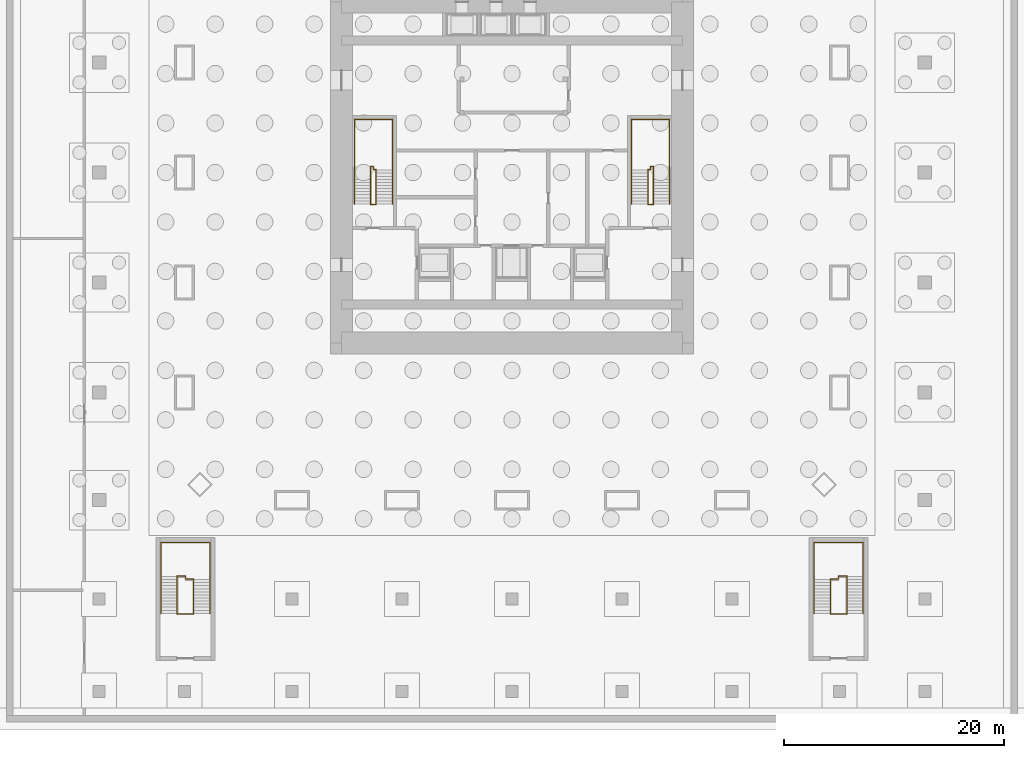
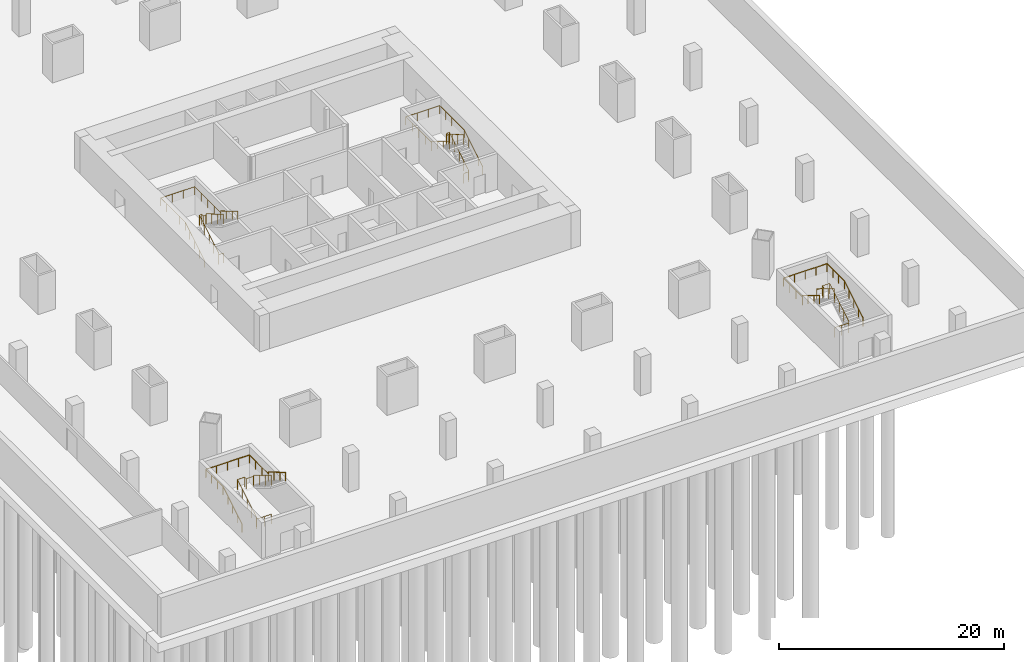
# One storey, part 9 of 11: 8 railings.
"""IFC4 building model written with IfcOpenShell, lengths in metres."""

from ifc_helpers import new_model, si_unit, direction, frame, origin, origin_2d, place, context, subcontext, project, spatial, circle, extrude, material, type_object, element, save


model = new_model("IFC4")

# Units and contexts
model_context = context("Model", 3, precision=1e-05, world=origin(), true_north=direction((0.0, 1.0)))
body_context = subcontext(model_context, "Body", "Model", "MODEL_VIEW")
ifc_project = project(units=[si_unit("LENGTHUNIT", "METRE"), si_unit("AREAUNIT", "SQUARE_METRE"), si_unit("VOLUMEUNIT", "CUBIC_METRE"), si_unit("PLANEANGLEUNIT", "RADIAN"), si_unit("MASSUNIT", "GRAM", prefix="KILO")], contexts=[model_context])

# Site, building, storey
site_placement = place(None, origin())
site = spatial("IfcSite", under=ifc_project, at=site_placement, CompositionType="ELEMENT")
building_placement = place(site_placement, origin())
building = spatial("IfcBuilding", under=site, at=building_placement, Name="Khuree Lantern Residences", CompositionType="ELEMENT")
storey_placement = place(building_placement, frame((0.0, 0.0, -13.199951171875)))
storey = spatial("IfcBuildingStorey", under=building, at=storey_placement, Name="B3", CompositionType="ELEMENT", Elevation=-13.199951171875)

# Railings
ifc_material = material(Name="Steel S355", Category="steel")
railing_type_1 = type_object("IfcRailingType", Name="STAIR GUARD G1 1100", PredefinedType="GUARDRAIL", material=ifc_material)
railing_1_placement = place(storey_placement, frame((-12.35009765625, -2.909912109375, 0.0)))
element("IfcRailing", 1, at=railing_1_placement, inside=storey, type_object=railing_type_1, Name="Stair ST1 guard", PredefinedType="GUARDRAIL", context=body_context, shape_type="SweptSolid", body=[
    extrude(circle(Radius=0.02392578125, at=origin_2d()), frame((0.0, 0.0, 1.076171875), z_axis=(-1.0, 0.0, 0.0), x_axis=(0.0, -1.0, 0.0)), (0.0, 0.0, 1.0), 0.5),
    extrude(circle(Radius=0.02392578125, at=origin_2d()), frame((-0.5, 0.0, 1.076171875), z_axis=(0.0, 0.284278109972, 0.958741861082), x_axis=(-1.0, 0.0, 0.0)), (0.0, 0.0, 1.0), 0.17529296875),
    extrude(circle(Radius=0.02392578125, at=origin_2d()), frame((-0.5, 0.0498046875, 1.244140625), z_axis=(0.0, 0.857514915217, 0.514459104479), x_axis=(-1.0, 0.0, 0.0)), (0.0, 0.0, 1.0), 3.91845703125),
    extrude(circle(Radius=0.02392578125, at=origin_2d()), frame((-0.5, 3.409912109375, 3.259765625), z_axis=(0.0, 1.0, 0.0), x_axis=(-1.0, 0.0, 0.0)), (0.0, 0.0, 1.0), 0.050048828125),
    extrude(circle(Radius=0.02392578125, at=origin_2d()), frame((-0.5, 3.4599609375, 3.259765625), z_axis=(1.0, 0.0, 0.0), x_axis=(0.0, 1.0, 0.0)), (0.0, 0.0, 1.0), 0.25),
    extrude(circle(Radius=0.02392578125, at=origin_2d()), frame((-0.25, 3.4599609375, 3.259765625), z_axis=(0.0, -1.0, 0.0), x_axis=(1.0, 0.0, 0.0)), (0.0, 0.0, 1.0), 0.280029296875),
    extrude(circle(Radius=0.02392578125, at=origin_2d()), frame((-0.25, 3.179931640625, 3.259765625), z_axis=(1.0, 0.0, 0.0), x_axis=(0.0, 1.0, 0.0)), (0.0, 0.0, 1.0), 0.25),
    extrude(circle(Radius=0.02392578125, at=origin_2d()), frame((0.0, 3.179931640625, 3.259765625), z_axis=(0.0, -0.285177527458, 0.958474714238), x_axis=(1.0, 0.0, 0.0)), (0.0, 0.0, 1.0), 0.175537109375),
    extrude(circle(Radius=0.02392578125, at=origin_2d()), frame((0.0, 3.1298828125, 3.42822265625), z_axis=(0.0, -0.857510917276, 0.514465768299), x_axis=(1.0, 0.0, 0.0)), (0.0, 0.0, 1.0), 3.591796875),
    extrude(circle(Radius=0.02099609375, at=origin_2d()), origin(), (0.0, 0.0, 1.0), 1.052001953125),
    extrude(circle(Radius=0.02099609375, at=origin_2d()), frame((-0.5, 0.0, 0.0)), (0.0, 0.0, 1.0), 1.052001953125),
    extrude(circle(Radius=0.02099609375, at=origin_2d()), frame((-0.5, 0.0498046875, 0.16796875)), (0.0, 0.0, 1.0), 1.052001953125),
    extrude(circle(Radius=0.02099609375, at=origin_2d()), frame((-0.5, 0.889892578125, 0.671875)), (0.0, 0.0, 1.0), 1.052001953125),
    extrude(circle(Radius=0.02099609375, at=origin_2d()), frame((-0.5, 1.72998046875, 1.17578125)), (0.0, 0.0, 1.0), 1.052001953125),
    extrude(circle(Radius=0.02099609375, at=origin_2d()), frame((-0.5, 2.56982421875, 1.679931640625)), (0.0, 0.0, 1.0), 1.052001953125),
    extrude(circle(Radius=0.02099609375, at=origin_2d()), frame((-0.5, 3.409912109375, 2.183837890625)), (0.0, 0.0, 1.0), 1.052001953125),
    extrude(circle(Radius=0.02099609375, at=origin_2d()), frame((-0.5, 3.4599609375, 2.183837890625)), (0.0, 0.0, 1.0), 1.052001953125),
    extrude(circle(Radius=0.02099609375, at=origin_2d()), frame((-0.25, 3.4599609375, 2.183837890625)), (0.0, 0.0, 1.0), 1.052001953125),
    extrude(circle(Radius=0.02099609375, at=origin_2d()), frame((-0.25, 3.179931640625, 2.183837890625)), (0.0, 0.0, 1.0), 1.052001953125),
    extrude(circle(Radius=0.02099609375, at=origin_2d()), frame((0.0, 3.179931640625, 2.183837890625)), (0.0, 0.0, 1.0), 1.052001953125),
    extrude(circle(Radius=0.02099609375, at=origin_2d()), frame((0.0, 3.1298828125, 2.35205078125)), (0.0, 0.0, 1.0), 1.052001953125),
    extrude(circle(Radius=0.02099609375, at=origin_2d()), frame((0.0, 2.103271484375, 2.968017578125)), (0.0, 0.0, 1.0), 1.052001953125),
    extrude(circle(Radius=0.02099609375, at=origin_2d()), frame((0.0, 1.076416015625, 3.583984375)), (0.0, 0.0, 1.0), 1.052001953125),
    extrude(circle(Radius=0.02099609375, at=origin_2d()), frame((0.0, 0.0498046875, 4.199951171875)), (0.0, 0.0, 1.0), 1.052001953125),
])
railing_2_placement = place(storey_placement, frame((12.35009765625, -2.909912109375, 0.0)))
element("IfcRailing", 2, at=railing_2_placement, inside=storey, type_object=railing_type_1, Name="Stair ST2 guard", PredefinedType="GUARDRAIL", context=body_context, shape_type="SweptSolid", body=[
    extrude(circle(Radius=0.02392578125, at=origin_2d()), frame((0.0, 0.0, 1.076171875), z_axis=(1.0, 0.0, 0.0), x_axis=(0.0, 1.0, 0.0)), (0.0, 0.0, 1.0), 0.5),
    extrude(circle(Radius=0.02392578125, at=origin_2d()), frame((0.5, 0.0, 1.076171875), z_axis=(0.0, 0.284278109972, 0.958741861082), x_axis=(-1.0, 0.0, 0.0)), (0.0, 0.0, 1.0), 0.17529296875),
    extrude(circle(Radius=0.02392578125, at=origin_2d()), frame((0.5, 0.0498046875, 1.244140625), z_axis=(0.0, 0.857514915217, 0.514459104479), x_axis=(-1.0, 0.0, 0.0)), (0.0, 0.0, 1.0), 3.91845703125),
    extrude(circle(Radius=0.02392578125, at=origin_2d()), frame((0.5, 3.409912109375, 3.259765625), z_axis=(0.0, 1.0, 0.0), x_axis=(-1.0, 0.0, 0.0)), (0.0, 0.0, 1.0), 0.050048828125),
    extrude(circle(Radius=0.02392578125, at=origin_2d()), frame((0.5, 3.4599609375, 3.259765625), z_axis=(-1.0, 0.0, 0.0), x_axis=(0.0, -1.0, 0.0)), (0.0, 0.0, 1.0), 0.25),
    extrude(circle(Radius=0.02392578125, at=origin_2d()), frame((0.25, 3.4599609375, 3.259765625), z_axis=(0.0, -1.0, 0.0), x_axis=(1.0, 0.0, 0.0)), (0.0, 0.0, 1.0), 0.280029296875),
    extrude(circle(Radius=0.02392578125, at=origin_2d()), frame((0.25, 3.179931640625, 3.259765625), z_axis=(-1.0, 0.0, 0.0), x_axis=(0.0, -1.0, 0.0)), (0.0, 0.0, 1.0), 0.25),
    extrude(circle(Radius=0.02392578125, at=origin_2d()), frame((0.0, 3.179931640625, 3.259765625), z_axis=(0.0, -0.285177527458, 0.958474714238), x_axis=(1.0, 0.0, 0.0)), (0.0, 0.0, 1.0), 0.175537109375),
    extrude(circle(Radius=0.02392578125, at=origin_2d()), frame((0.0, 3.1298828125, 3.42822265625), z_axis=(0.0, -0.857510917276, 0.514465768299), x_axis=(1.0, 0.0, 0.0)), (0.0, 0.0, 1.0), 3.591796875),
    extrude(circle(Radius=0.02099609375, at=origin_2d()), origin(), (0.0, 0.0, 1.0), 1.052001953125),
    extrude(circle(Radius=0.02099609375, at=origin_2d()), frame((0.5, 0.0, 0.0)), (0.0, 0.0, 1.0), 1.052001953125),
    extrude(circle(Radius=0.02099609375, at=origin_2d()), frame((0.5, 0.0498046875, 0.16796875)), (0.0, 0.0, 1.0), 1.052001953125),
    extrude(circle(Radius=0.02099609375, at=origin_2d()), frame((0.5, 0.889892578125, 0.671875)), (0.0, 0.0, 1.0), 1.052001953125),
    extrude(circle(Radius=0.02099609375, at=origin_2d()), frame((0.5, 1.72998046875, 1.17578125)), (0.0, 0.0, 1.0), 1.052001953125),
    extrude(circle(Radius=0.02099609375, at=origin_2d()), frame((0.5, 2.56982421875, 1.679931640625)), (0.0, 0.0, 1.0), 1.052001953125),
    extrude(circle(Radius=0.02099609375, at=origin_2d()), frame((0.5, 3.409912109375, 2.183837890625)), (0.0, 0.0, 1.0), 1.052001953125),
    extrude(circle(Radius=0.02099609375, at=origin_2d()), frame((0.5, 3.4599609375, 2.183837890625)), (0.0, 0.0, 1.0), 1.052001953125),
    extrude(circle(Radius=0.02099609375, at=origin_2d()), frame((0.25, 3.4599609375, 2.183837890625)), (0.0, 0.0, 1.0), 1.052001953125),
    extrude(circle(Radius=0.02099609375, at=origin_2d()), frame((0.25, 3.179931640625, 2.183837890625)), (0.0, 0.0, 1.0), 1.052001953125),
    extrude(circle(Radius=0.02099609375, at=origin_2d()), frame((0.0, 3.179931640625, 2.183837890625)), (0.0, 0.0, 1.0), 1.052001953125),
    extrude(circle(Radius=0.02099609375, at=origin_2d()), frame((0.0, 3.1298828125, 2.35205078125)), (0.0, 0.0, 1.0), 1.052001953125),
    extrude(circle(Radius=0.02099609375, at=origin_2d()), frame((0.0, 2.103271484375, 2.968017578125)), (0.0, 0.0, 1.0), 1.052001953125),
    extrude(circle(Radius=0.02099609375, at=origin_2d()), frame((0.0, 1.076416015625, 3.583984375)), (0.0, 0.0, 1.0), 1.052001953125),
    extrude(circle(Radius=0.02099609375, at=origin_2d()), frame((0.0, 0.0498046875, 4.199951171875)), (0.0, 0.0, 1.0), 1.052001953125),
])
railing_3_placement = place(storey_placement, frame((-28.949951171875, -40.14990234375, 0.0)))
element("IfcRailing", 3, at=railing_3_placement, inside=storey, type_object=railing_type_1, Name="Stair ST5 guard", PredefinedType="GUARDRAIL", context=body_context, shape_type="SweptSolid", body=[
    extrude(circle(Radius=0.02392578125, at=origin_2d()), frame((0.0, 0.0, 1.076171875), z_axis=(-1.0, 0.0, 0.0), x_axis=(0.0, -1.0, 0.0)), (0.0, 0.0, 1.0), 1.5),
    extrude(circle(Radius=0.02392578125, at=origin_2d()), frame((-1.5, 0.0, 1.076171875), z_axis=(0.0, 0.284278109972, 0.958741861082), x_axis=(-1.0, 0.0, 0.0)), (0.0, 0.0, 1.0), 0.17529296875),
    extrude(circle(Radius=0.02392578125, at=origin_2d()), frame((-1.5, 0.0498046875, 1.244140625), z_axis=(0.0, 0.857514915217, 0.514459104479), x_axis=(-1.0, 0.0, 0.0)), (0.0, 0.0, 1.0), 3.91845703125),
    extrude(circle(Radius=0.02392578125, at=origin_2d()), frame((-1.5, 3.409912109375, 3.259765625), z_axis=(0.0, 1.0, 0.0), x_axis=(-1.0, 0.0, 0.0)), (0.0, 0.0, 1.0), 0.050048828125),
    extrude(circle(Radius=0.02392578125, at=origin_2d()), frame((-1.5, 3.4599609375, 3.259765625), z_axis=(1.0, 0.0, 0.0), x_axis=(0.0, 1.0, 0.0)), (0.0, 0.0, 1.0), 0.75),
    extrude(circle(Radius=0.02392578125, at=origin_2d()), frame((-0.75, 3.4599609375, 3.259765625), z_axis=(0.0, -1.0, 0.0), x_axis=(1.0, 0.0, 0.0)), (0.0, 0.0, 1.0), 0.280029296875),
    extrude(circle(Radius=0.02392578125, at=origin_2d()), frame((-0.75, 3.179931640625, 3.259765625), z_axis=(1.0, 0.0, 0.0), x_axis=(0.0, 1.0, 0.0)), (0.0, 0.0, 1.0), 0.75),
    extrude(circle(Radius=0.02392578125, at=origin_2d()), frame((0.0, 3.179931640625, 3.259765625), z_axis=(0.0, -0.285177527458, 0.958474714238), x_axis=(1.0, 0.0, 0.0)), (0.0, 0.0, 1.0), 0.175537109375),
    extrude(circle(Radius=0.02392578125, at=origin_2d()), frame((0.0, 3.1298828125, 3.42822265625), z_axis=(0.0, -0.857510917276, 0.514465768299), x_axis=(1.0, 0.0, 0.0)), (0.0, 0.0, 1.0), 3.591796875),
    extrude(circle(Radius=0.02099609375, at=origin_2d()), origin(), (0.0, 0.0, 1.0), 1.052001953125),
    extrude(circle(Radius=0.02099609375, at=origin_2d()), frame((-0.75, 0.0, 0.0)), (0.0, 0.0, 1.0), 1.052001953125),
    extrude(circle(Radius=0.02099609375, at=origin_2d()), frame((-1.5, 0.0, 0.0)), (0.0, 0.0, 1.0), 1.052001953125),
    extrude(circle(Radius=0.02099609375, at=origin_2d()), frame((-1.5, 0.0498046875, 0.16796875)), (0.0, 0.0, 1.0), 1.052001953125),
    extrude(circle(Radius=0.02099609375, at=origin_2d()), frame((-1.5, 0.889892578125, 0.671875)), (0.0, 0.0, 1.0), 1.052001953125),
    extrude(circle(Radius=0.02099609375, at=origin_2d()), frame((-1.5, 1.72998046875, 1.17578125)), (0.0, 0.0, 1.0), 1.052001953125),
    extrude(circle(Radius=0.02099609375, at=origin_2d()), frame((-1.5, 2.56982421875, 1.679931640625)), (0.0, 0.0, 1.0), 1.052001953125),
    extrude(circle(Radius=0.02099609375, at=origin_2d()), frame((-1.5, 3.409912109375, 2.183837890625)), (0.0, 0.0, 1.0), 1.052001953125),
    extrude(circle(Radius=0.02099609375, at=origin_2d()), frame((-1.5, 3.4599609375, 2.183837890625)), (0.0, 0.0, 1.0), 1.052001953125),
    extrude(circle(Radius=0.02099609375, at=origin_2d()), frame((-0.75, 3.4599609375, 2.183837890625)), (0.0, 0.0, 1.0), 1.052001953125),
    extrude(circle(Radius=0.02099609375, at=origin_2d()), frame((-0.75, 3.179931640625, 2.183837890625)), (0.0, 0.0, 1.0), 1.052001953125),
    extrude(circle(Radius=0.02099609375, at=origin_2d()), frame((0.0, 3.179931640625, 2.183837890625)), (0.0, 0.0, 1.0), 1.052001953125),
    extrude(circle(Radius=0.02099609375, at=origin_2d()), frame((0.0, 3.1298828125, 2.35205078125)), (0.0, 0.0, 1.0), 1.052001953125),
    extrude(circle(Radius=0.02099609375, at=origin_2d()), frame((0.0, 2.103271484375, 2.968017578125)), (0.0, 0.0, 1.0), 1.052001953125),
    extrude(circle(Radius=0.02099609375, at=origin_2d()), frame((0.0, 1.076416015625, 3.583984375)), (0.0, 0.0, 1.0), 1.052001953125),
    extrude(circle(Radius=0.02099609375, at=origin_2d()), frame((0.0, 0.0498046875, 4.199951171875)), (0.0, 0.0, 1.0), 1.052001953125),
])
railing_4_placement = place(storey_placement, frame((28.949951171875, -40.14990234375, 0.0)))
element("IfcRailing", 4, at=railing_4_placement, inside=storey, type_object=railing_type_1, Name="Stair ST6 guard", PredefinedType="GUARDRAIL", context=body_context, shape_type="SweptSolid", body=[
    extrude(circle(Radius=0.02392578125, at=origin_2d()), frame((0.0, 0.0, 1.076171875), z_axis=(1.0, 0.0, 0.0), x_axis=(0.0, 1.0, 0.0)), (0.0, 0.0, 1.0), 1.5),
    extrude(circle(Radius=0.02392578125, at=origin_2d()), frame((1.5, 0.0, 1.076171875), z_axis=(0.0, 0.284278109972, 0.958741861082), x_axis=(-1.0, 0.0, 0.0)), (0.0, 0.0, 1.0), 0.17529296875),
    extrude(circle(Radius=0.02392578125, at=origin_2d()), frame((1.5, 0.0498046875, 1.244140625), z_axis=(0.0, 0.857514915217, 0.514459104479), x_axis=(-1.0, 0.0, 0.0)), (0.0, 0.0, 1.0), 3.91845703125),
    extrude(circle(Radius=0.02392578125, at=origin_2d()), frame((1.5, 3.409912109375, 3.259765625), z_axis=(0.0, 1.0, 0.0), x_axis=(-1.0, 0.0, 0.0)), (0.0, 0.0, 1.0), 0.050048828125),
    extrude(circle(Radius=0.02392578125, at=origin_2d()), frame((1.5, 3.4599609375, 3.259765625), z_axis=(-1.0, 0.0, 0.0), x_axis=(0.0, -1.0, 0.0)), (0.0, 0.0, 1.0), 0.75),
    extrude(circle(Radius=0.02392578125, at=origin_2d()), frame((0.75, 3.4599609375, 3.259765625), z_axis=(0.0, -1.0, 0.0), x_axis=(1.0, 0.0, 0.0)), (0.0, 0.0, 1.0), 0.280029296875),
    extrude(circle(Radius=0.02392578125, at=origin_2d()), frame((0.75, 3.179931640625, 3.259765625), z_axis=(-1.0, 0.0, 0.0), x_axis=(0.0, -1.0, 0.0)), (0.0, 0.0, 1.0), 0.75),
    extrude(circle(Radius=0.02392578125, at=origin_2d()), frame((0.0, 3.179931640625, 3.259765625), z_axis=(0.0, -0.285177527458, 0.958474714238), x_axis=(1.0, 0.0, 0.0)), (0.0, 0.0, 1.0), 0.175537109375),
    extrude(circle(Radius=0.02392578125, at=origin_2d()), frame((0.0, 3.1298828125, 3.42822265625), z_axis=(0.0, -0.857510917276, 0.514465768299), x_axis=(1.0, 0.0, 0.0)), (0.0, 0.0, 1.0), 3.591796875),
    extrude(circle(Radius=0.02099609375, at=origin_2d()), origin(), (0.0, 0.0, 1.0), 1.052001953125),
    extrude(circle(Radius=0.02099609375, at=origin_2d()), frame((0.75, 0.0, 0.0)), (0.0, 0.0, 1.0), 1.052001953125),
    extrude(circle(Radius=0.02099609375, at=origin_2d()), frame((1.5, 0.0, 0.0)), (0.0, 0.0, 1.0), 1.052001953125),
    extrude(circle(Radius=0.02099609375, at=origin_2d()), frame((1.5, 0.0498046875, 0.16796875)), (0.0, 0.0, 1.0), 1.052001953125),
    extrude(circle(Radius=0.02099609375, at=origin_2d()), frame((1.5, 0.889892578125, 0.671875)), (0.0, 0.0, 1.0), 1.052001953125),
    extrude(circle(Radius=0.02099609375, at=origin_2d()), frame((1.5, 1.72998046875, 1.17578125)), (0.0, 0.0, 1.0), 1.052001953125),
    extrude(circle(Radius=0.02099609375, at=origin_2d()), frame((1.5, 2.56982421875, 1.679931640625)), (0.0, 0.0, 1.0), 1.052001953125),
    extrude(circle(Radius=0.02099609375, at=origin_2d()), frame((1.5, 3.409912109375, 2.183837890625)), (0.0, 0.0, 1.0), 1.052001953125),
    extrude(circle(Radius=0.02099609375, at=origin_2d()), frame((1.5, 3.4599609375, 2.183837890625)), (0.0, 0.0, 1.0), 1.052001953125),
    extrude(circle(Radius=0.02099609375, at=origin_2d()), frame((0.75, 3.4599609375, 2.183837890625)), (0.0, 0.0, 1.0), 1.052001953125),
    extrude(circle(Radius=0.02099609375, at=origin_2d()), frame((0.75, 3.179931640625, 2.183837890625)), (0.0, 0.0, 1.0), 1.052001953125),
    extrude(circle(Radius=0.02099609375, at=origin_2d()), frame((0.0, 3.179931640625, 2.183837890625)), (0.0, 0.0, 1.0), 1.052001953125),
    extrude(circle(Radius=0.02099609375, at=origin_2d()), frame((0.0, 3.1298828125, 2.35205078125)), (0.0, 0.0, 1.0), 1.052001953125),
    extrude(circle(Radius=0.02099609375, at=origin_2d()), frame((0.0, 2.103271484375, 2.968017578125)), (0.0, 0.0, 1.0), 1.052001953125),
    extrude(circle(Radius=0.02099609375, at=origin_2d()), frame((0.0, 1.076416015625, 3.583984375)), (0.0, 0.0, 1.0), 1.052001953125),
    extrude(circle(Radius=0.02099609375, at=origin_2d()), frame((0.0, 0.0498046875, 4.199951171875)), (0.0, 0.0, 1.0), 1.052001953125),
])
railing_type_2 = type_object("IfcRailingType", Name="STAIR HANDRAIL H1 900", PredefinedType="HANDRAIL", material=ifc_material)
railing_5_placement = place(storey_placement, frame((-14.340087890625, -2.860107421875, 0.16796875)))
element("IfcRailing", 5, at=railing_5_placement, inside=storey, type_object=railing_type_2, Name="Stair ST1 handrail", PredefinedType="HANDRAIL", context=body_context, shape_type="SweptSolid", body=[
    extrude(circle(Radius=0.02392578125, at=origin_2d()), frame((0.0, 0.0, 0.8759765625), z_axis=(0.0, 0.857514915217, 0.514459104479), x_axis=(-1.0, 0.0, 0.0)), (0.0, 0.0, 1.0), 3.91845703125),
    extrude(circle(Radius=0.02392578125, at=origin_2d()), frame((0.0, 3.360107421875, 2.8916015625), z_axis=(0.0, 1.0, 0.0), x_axis=(-1.0, 0.0, 0.0)), (0.0, 0.0, 1.0), 4.340087890625),
    extrude(circle(Radius=0.02392578125, at=origin_2d()), frame((0.0, 7.7001953125, 2.8916015625), z_axis=(1.0, 0.0, 0.0), x_axis=(0.0, 1.0, 0.0)), (0.0, 0.0, 1.0), 3.47998046875),
    extrude(circle(Radius=0.02392578125, at=origin_2d()), frame((3.47998046875, 7.7001953125, 2.8916015625), z_axis=(0.0, -1.0, 0.0), x_axis=(1.0, 0.0, 0.0)), (0.0, 0.0, 1.0), 4.6201171875),
    extrude(circle(Radius=0.02392578125, at=origin_2d()), frame((3.47998046875, 3.080078125, 2.8916015625), z_axis=(0.0, 0.0, 1.0), x_axis=(1.0, 0.0, 0.0)), (0.0, 0.0, 1.0), 0.168212890625),
    extrude(circle(Radius=0.02392578125, at=origin_2d()), frame((3.47998046875, 3.080078125, 3.06005859375), z_axis=(0.0, -0.857510917276, 0.514465768299), x_axis=(1.0, 0.0, 0.0)), (0.0, 0.0, 1.0), 3.591796875),
    extrude(circle(Radius=0.02099609375, at=origin_2d()), origin(), (0.0, 0.0, 1.0), 0.851806640625),
    extrude(circle(Radius=0.02099609375, at=origin_2d()), frame((0.0, 0.840087890625, 0.50390625)), (0.0, 0.0, 1.0), 0.851806640625),
    extrude(circle(Radius=0.02099609375, at=origin_2d()), frame((0.0, 1.68017578125, 1.0078125)), (0.0, 0.0, 1.0), 0.851806640625),
    extrude(circle(Radius=0.02099609375, at=origin_2d()), frame((0.0, 2.52001953125, 1.511962890625)), (0.0, 0.0, 1.0), 0.851806640625),
    extrude(circle(Radius=0.02099609375, at=origin_2d()), frame((0.0, 3.360107421875, 2.015869140625)), (0.0, 0.0, 1.0), 0.851806640625),
    extrude(circle(Radius=0.02099609375, at=origin_2d()), frame((0.0, 4.445068359375, 2.015869140625)), (0.0, 0.0, 1.0), 0.851806640625),
    extrude(circle(Radius=0.02099609375, at=origin_2d()), frame((0.0, 5.5302734375, 2.015869140625)), (0.0, 0.0, 1.0), 0.851806640625),
    extrude(circle(Radius=0.02099609375, at=origin_2d()), frame((0.0, 6.615234375, 2.015869140625)), (0.0, 0.0, 1.0), 0.851806640625),
    extrude(circle(Radius=0.02099609375, at=origin_2d()), frame((0.0, 7.7001953125, 2.015869140625)), (0.0, 0.0, 1.0), 0.851806640625),
    extrude(circle(Radius=0.02099609375, at=origin_2d()), frame((1.159912109375, 7.7001953125, 2.015869140625)), (0.0, 0.0, 1.0), 0.851806640625),
    extrude(circle(Radius=0.02099609375, at=origin_2d()), frame((2.320068359375, 7.7001953125, 2.015869140625)), (0.0, 0.0, 1.0), 0.851806640625),
    extrude(circle(Radius=0.02099609375, at=origin_2d()), frame((3.47998046875, 7.7001953125, 2.015869140625)), (0.0, 0.0, 1.0), 0.851806640625),
    extrude(circle(Radius=0.02099609375, at=origin_2d()), frame((3.47998046875, 6.545166015625, 2.015869140625)), (0.0, 0.0, 1.0), 0.851806640625),
    extrude(circle(Radius=0.02099609375, at=origin_2d()), frame((3.47998046875, 5.39013671875, 2.015869140625)), (0.0, 0.0, 1.0), 0.851806640625),
    extrude(circle(Radius=0.02099609375, at=origin_2d()), frame((3.47998046875, 4.235107421875, 2.015869140625)), (0.0, 0.0, 1.0), 0.851806640625),
    extrude(circle(Radius=0.02099609375, at=origin_2d()), frame((3.47998046875, 3.080078125, 2.015869140625)), (0.0, 0.0, 1.0), 0.851806640625),
    extrude(circle(Radius=0.02099609375, at=origin_2d()), frame((3.47998046875, 3.080078125, 2.18408203125)), (0.0, 0.0, 1.0), 0.851806640625),
    extrude(circle(Radius=0.02099609375, at=origin_2d()), frame((3.47998046875, 2.053466796875, 2.800048828125)), (0.0, 0.0, 1.0), 0.851806640625),
    extrude(circle(Radius=0.02099609375, at=origin_2d()), frame((3.47998046875, 1.026611328125, 3.416015625)), (0.0, 0.0, 1.0), 0.851806640625),
    extrude(circle(Radius=0.02099609375, at=origin_2d()), frame((3.47998046875, 0.0, 4.031982421875)), (0.0, 0.0, 1.0), 0.851806640625),
])
railing_6_placement = place(storey_placement, frame((14.340087890625, -2.860107421875, 0.16796875)))
element("IfcRailing", 6, at=railing_6_placement, inside=storey, type_object=railing_type_2, Name="Stair ST2 handrail", PredefinedType="HANDRAIL", context=body_context, shape_type="SweptSolid", body=[
    extrude(circle(Radius=0.02392578125, at=origin_2d()), frame((0.0, 0.0, 0.8759765625), z_axis=(0.0, 0.857514915217, 0.514459104479), x_axis=(-1.0, 0.0, 0.0)), (0.0, 0.0, 1.0), 3.91845703125),
    extrude(circle(Radius=0.02392578125, at=origin_2d()), frame((0.0, 3.360107421875, 2.8916015625), z_axis=(0.0, 1.0, 0.0), x_axis=(-1.0, 0.0, 0.0)), (0.0, 0.0, 1.0), 4.340087890625),
    extrude(circle(Radius=0.02392578125, at=origin_2d()), frame((0.0, 7.7001953125, 2.8916015625), z_axis=(-1.0, 0.0, 0.0), x_axis=(0.0, -1.0, 0.0)), (0.0, 0.0, 1.0), 3.47998046875),
    extrude(circle(Radius=0.02392578125, at=origin_2d()), frame((-3.47998046875, 7.7001953125, 2.8916015625), z_axis=(0.0, -1.0, 0.0), x_axis=(1.0, 0.0, 0.0)), (0.0, 0.0, 1.0), 4.6201171875),
    extrude(circle(Radius=0.02392578125, at=origin_2d()), frame((-3.47998046875, 3.080078125, 2.8916015625), z_axis=(0.0, 0.0, 1.0), x_axis=(1.0, 0.0, 0.0)), (0.0, 0.0, 1.0), 0.168212890625),
    extrude(circle(Radius=0.02392578125, at=origin_2d()), frame((-3.47998046875, 3.080078125, 3.06005859375), z_axis=(0.0, -0.857510917276, 0.514465768299), x_axis=(1.0, 0.0, 0.0)), (0.0, 0.0, 1.0), 3.591796875),
    extrude(circle(Radius=0.02099609375, at=origin_2d()), origin(), (0.0, 0.0, 1.0), 0.851806640625),
    extrude(circle(Radius=0.02099609375, at=origin_2d()), frame((0.0, 0.840087890625, 0.50390625)), (0.0, 0.0, 1.0), 0.851806640625),
    extrude(circle(Radius=0.02099609375, at=origin_2d()), frame((0.0, 1.68017578125, 1.0078125)), (0.0, 0.0, 1.0), 0.851806640625),
    extrude(circle(Radius=0.02099609375, at=origin_2d()), frame((0.0, 2.52001953125, 1.511962890625)), (0.0, 0.0, 1.0), 0.851806640625),
    extrude(circle(Radius=0.02099609375, at=origin_2d()), frame((0.0, 3.360107421875, 2.015869140625)), (0.0, 0.0, 1.0), 0.851806640625),
    extrude(circle(Radius=0.02099609375, at=origin_2d()), frame((0.0, 4.445068359375, 2.015869140625)), (0.0, 0.0, 1.0), 0.851806640625),
    extrude(circle(Radius=0.02099609375, at=origin_2d()), frame((0.0, 5.5302734375, 2.015869140625)), (0.0, 0.0, 1.0), 0.851806640625),
    extrude(circle(Radius=0.02099609375, at=origin_2d()), frame((0.0, 6.615234375, 2.015869140625)), (0.0, 0.0, 1.0), 0.851806640625),
    extrude(circle(Radius=0.02099609375, at=origin_2d()), frame((0.0, 7.7001953125, 2.015869140625)), (0.0, 0.0, 1.0), 0.851806640625),
    extrude(circle(Radius=0.02099609375, at=origin_2d()), frame((-1.159912109375, 7.7001953125, 2.015869140625)), (0.0, 0.0, 1.0), 0.851806640625),
    extrude(circle(Radius=0.02099609375, at=origin_2d()), frame((-2.320068359375, 7.7001953125, 2.015869140625)), (0.0, 0.0, 1.0), 0.851806640625),
    extrude(circle(Radius=0.02099609375, at=origin_2d()), frame((-3.47998046875, 7.7001953125, 2.015869140625)), (0.0, 0.0, 1.0), 0.851806640625),
    extrude(circle(Radius=0.02099609375, at=origin_2d()), frame((-3.47998046875, 6.545166015625, 2.015869140625)), (0.0, 0.0, 1.0), 0.851806640625),
    extrude(circle(Radius=0.02099609375, at=origin_2d()), frame((-3.47998046875, 5.39013671875, 2.015869140625)), (0.0, 0.0, 1.0), 0.851806640625),
    extrude(circle(Radius=0.02099609375, at=origin_2d()), frame((-3.47998046875, 4.235107421875, 2.015869140625)), (0.0, 0.0, 1.0), 0.851806640625),
    extrude(circle(Radius=0.02099609375, at=origin_2d()), frame((-3.47998046875, 3.080078125, 2.015869140625)), (0.0, 0.0, 1.0), 0.851806640625),
    extrude(circle(Radius=0.02099609375, at=origin_2d()), frame((-3.47998046875, 3.080078125, 2.18408203125)), (0.0, 0.0, 1.0), 0.851806640625),
    extrude(circle(Radius=0.02099609375, at=origin_2d()), frame((-3.47998046875, 2.053466796875, 2.800048828125)), (0.0, 0.0, 1.0), 0.851806640625),
    extrude(circle(Radius=0.02099609375, at=origin_2d()), frame((-3.47998046875, 1.026611328125, 3.416015625)), (0.0, 0.0, 1.0), 0.851806640625),
    extrude(circle(Radius=0.02099609375, at=origin_2d()), frame((-3.47998046875, 0.0, 4.031982421875)), (0.0, 0.0, 1.0), 0.851806640625),
])
railing_7_placement = place(storey_placement, frame((-31.93994140625, -40.10009765625, 0.16796875)))
element("IfcRailing", 7, at=railing_7_placement, inside=storey, type_object=railing_type_2, Name="Stair ST5 handrail", PredefinedType="HANDRAIL", context=body_context, shape_type="SweptSolid", body=[
    extrude(circle(Radius=0.02392578125, at=origin_2d()), frame((0.0, 0.0, 0.8759765625), z_axis=(0.0, 0.857514915217, 0.514459104479), x_axis=(-1.0, 0.0, 0.0)), (0.0, 0.0, 1.0), 3.91845703125),
    extrude(circle(Radius=0.02392578125, at=origin_2d()), frame((0.0, 3.360107421875, 2.8916015625), z_axis=(0.0, 1.0, 0.0), x_axis=(-1.0, 0.0, 0.0)), (0.0, 0.0, 1.0), 3.080078125),
    extrude(circle(Radius=0.02392578125, at=origin_2d()), frame((0.0, 6.440185546875, 2.8916015625), z_axis=(1.0, 0.0, 0.0), x_axis=(0.0, 1.0, 0.0)), (0.0, 0.0, 1.0), 4.47998046875),
    extrude(circle(Radius=0.02392578125, at=origin_2d()), frame((4.47998046875, 6.440185546875, 2.8916015625), z_axis=(0.0, -1.0, 0.0), x_axis=(1.0, 0.0, 0.0)), (0.0, 0.0, 1.0), 3.360107421875),
    extrude(circle(Radius=0.02392578125, at=origin_2d()), frame((4.47998046875, 3.080078125, 2.8916015625), z_axis=(0.0, 0.0, 1.0), x_axis=(1.0, 0.0, 0.0)), (0.0, 0.0, 1.0), 0.168212890625),
    extrude(circle(Radius=0.02392578125, at=origin_2d()), frame((4.47998046875, 3.080078125, 3.06005859375), z_axis=(0.0, -0.857510917276, 0.514465768299), x_axis=(1.0, 0.0, 0.0)), (0.0, 0.0, 1.0), 3.591796875),
    extrude(circle(Radius=0.02099609375, at=origin_2d()), origin(), (0.0, 0.0, 1.0), 0.851806640625),
    extrude(circle(Radius=0.02099609375, at=origin_2d()), frame((0.0, 0.840087890625, 0.50390625)), (0.0, 0.0, 1.0), 0.851806640625),
    extrude(circle(Radius=0.02099609375, at=origin_2d()), frame((0.0, 1.68017578125, 1.0078125)), (0.0, 0.0, 1.0), 0.851806640625),
    extrude(circle(Radius=0.02099609375, at=origin_2d()), frame((0.0, 2.52001953125, 1.511962890625)), (0.0, 0.0, 1.0), 0.851806640625),
    extrude(circle(Radius=0.02099609375, at=origin_2d()), frame((0.0, 3.360107421875, 2.015869140625)), (0.0, 0.0, 1.0), 0.851806640625),
    extrude(circle(Radius=0.02099609375, at=origin_2d()), frame((0.0, 4.38671875, 2.015869140625)), (0.0, 0.0, 1.0), 0.851806640625),
    extrude(circle(Radius=0.02099609375, at=origin_2d()), frame((0.0, 5.41357421875, 2.015869140625)), (0.0, 0.0, 1.0), 0.851806640625),
    extrude(circle(Radius=0.02099609375, at=origin_2d()), frame((0.0, 6.440185546875, 2.015869140625)), (0.0, 0.0, 1.0), 0.851806640625),
    extrude(circle(Radius=0.02099609375, at=origin_2d()), frame((1.1201171875, 6.440185546875, 2.015869140625)), (0.0, 0.0, 1.0), 0.851806640625),
    extrude(circle(Radius=0.02099609375, at=origin_2d()), frame((2.239990234375, 6.440185546875, 2.015869140625)), (0.0, 0.0, 1.0), 0.851806640625),
    extrude(circle(Radius=0.02099609375, at=origin_2d()), frame((3.35986328125, 6.440185546875, 2.015869140625)), (0.0, 0.0, 1.0), 0.851806640625),
    extrude(circle(Radius=0.02099609375, at=origin_2d()), frame((4.47998046875, 6.440185546875, 2.015869140625)), (0.0, 0.0, 1.0), 0.851806640625),
    extrude(circle(Radius=0.02099609375, at=origin_2d()), frame((4.47998046875, 5.320068359375, 2.015869140625)), (0.0, 0.0, 1.0), 0.851806640625),
    extrude(circle(Radius=0.02099609375, at=origin_2d()), frame((4.47998046875, 4.2001953125, 2.015869140625)), (0.0, 0.0, 1.0), 0.851806640625),
    extrude(circle(Radius=0.02099609375, at=origin_2d()), frame((4.47998046875, 3.080078125, 2.015869140625)), (0.0, 0.0, 1.0), 0.851806640625),
    extrude(circle(Radius=0.02099609375, at=origin_2d()), frame((4.47998046875, 3.080078125, 2.18408203125)), (0.0, 0.0, 1.0), 0.851806640625),
    extrude(circle(Radius=0.02099609375, at=origin_2d()), frame((4.47998046875, 2.053466796875, 2.800048828125)), (0.0, 0.0, 1.0), 0.851806640625),
    extrude(circle(Radius=0.02099609375, at=origin_2d()), frame((4.47998046875, 1.026611328125, 3.416015625)), (0.0, 0.0, 1.0), 0.851806640625),
    extrude(circle(Radius=0.02099609375, at=origin_2d()), frame((4.47998046875, 0.0, 4.031982421875)), (0.0, 0.0, 1.0), 0.851806640625),
])
railing_8_placement = place(storey_placement, frame((31.93994140625, -40.10009765625, 0.16796875)))
element("IfcRailing", 8, at=railing_8_placement, inside=storey, type_object=railing_type_2, Name="Stair ST6 handrail", PredefinedType="HANDRAIL", context=body_context, shape_type="SweptSolid", body=[
    extrude(circle(Radius=0.02392578125, at=origin_2d()), frame((0.0, 0.0, 0.8759765625), z_axis=(0.0, 0.857514915217, 0.514459104479), x_axis=(-1.0, 0.0, 0.0)), (0.0, 0.0, 1.0), 3.91845703125),
    extrude(circle(Radius=0.02392578125, at=origin_2d()), frame((0.0, 3.360107421875, 2.8916015625), z_axis=(0.0, 1.0, 0.0), x_axis=(-1.0, 0.0, 0.0)), (0.0, 0.0, 1.0), 3.080078125),
    extrude(circle(Radius=0.02392578125, at=origin_2d()), frame((0.0, 6.440185546875, 2.8916015625), z_axis=(-1.0, 0.0, 0.0), x_axis=(0.0, -1.0, 0.0)), (0.0, 0.0, 1.0), 4.47998046875),
    extrude(circle(Radius=0.02392578125, at=origin_2d()), frame((-4.47998046875, 6.440185546875, 2.8916015625), z_axis=(0.0, -1.0, 0.0), x_axis=(1.0, 0.0, 0.0)), (0.0, 0.0, 1.0), 3.360107421875),
    extrude(circle(Radius=0.02392578125, at=origin_2d()), frame((-4.47998046875, 3.080078125, 2.8916015625), z_axis=(0.0, 0.0, 1.0), x_axis=(1.0, 0.0, 0.0)), (0.0, 0.0, 1.0), 0.168212890625),
    extrude(circle(Radius=0.02392578125, at=origin_2d()), frame((-4.47998046875, 3.080078125, 3.06005859375), z_axis=(0.0, -0.857510917276, 0.514465768299), x_axis=(1.0, 0.0, 0.0)), (0.0, 0.0, 1.0), 3.591796875),
    extrude(circle(Radius=0.02099609375, at=origin_2d()), origin(), (0.0, 0.0, 1.0), 0.851806640625),
    extrude(circle(Radius=0.02099609375, at=origin_2d()), frame((0.0, 0.840087890625, 0.50390625)), (0.0, 0.0, 1.0), 0.851806640625),
    extrude(circle(Radius=0.02099609375, at=origin_2d()), frame((0.0, 1.68017578125, 1.0078125)), (0.0, 0.0, 1.0), 0.851806640625),
    extrude(circle(Radius=0.02099609375, at=origin_2d()), frame((0.0, 2.52001953125, 1.511962890625)), (0.0, 0.0, 1.0), 0.851806640625),
    extrude(circle(Radius=0.02099609375, at=origin_2d()), frame((0.0, 3.360107421875, 2.015869140625)), (0.0, 0.0, 1.0), 0.851806640625),
    extrude(circle(Radius=0.02099609375, at=origin_2d()), frame((0.0, 4.38671875, 2.015869140625)), (0.0, 0.0, 1.0), 0.851806640625),
    extrude(circle(Radius=0.02099609375, at=origin_2d()), frame((0.0, 5.41357421875, 2.015869140625)), (0.0, 0.0, 1.0), 0.851806640625),
    extrude(circle(Radius=0.02099609375, at=origin_2d()), frame((0.0, 6.440185546875, 2.015869140625)), (0.0, 0.0, 1.0), 0.851806640625),
    extrude(circle(Radius=0.02099609375, at=origin_2d()), frame((-1.1201171875, 6.440185546875, 2.015869140625)), (0.0, 0.0, 1.0), 0.851806640625),
    extrude(circle(Radius=0.02099609375, at=origin_2d()), frame((-2.239990234375, 6.440185546875, 2.015869140625)), (0.0, 0.0, 1.0), 0.851806640625),
    extrude(circle(Radius=0.02099609375, at=origin_2d()), frame((-3.35986328125, 6.440185546875, 2.015869140625)), (0.0, 0.0, 1.0), 0.851806640625),
    extrude(circle(Radius=0.02099609375, at=origin_2d()), frame((-4.47998046875, 6.440185546875, 2.015869140625)), (0.0, 0.0, 1.0), 0.851806640625),
    extrude(circle(Radius=0.02099609375, at=origin_2d()), frame((-4.47998046875, 5.320068359375, 2.015869140625)), (0.0, 0.0, 1.0), 0.851806640625),
    extrude(circle(Radius=0.02099609375, at=origin_2d()), frame((-4.47998046875, 4.2001953125, 2.015869140625)), (0.0, 0.0, 1.0), 0.851806640625),
    extrude(circle(Radius=0.02099609375, at=origin_2d()), frame((-4.47998046875, 3.080078125, 2.015869140625)), (0.0, 0.0, 1.0), 0.851806640625),
    extrude(circle(Radius=0.02099609375, at=origin_2d()), frame((-4.47998046875, 3.080078125, 2.18408203125)), (0.0, 0.0, 1.0), 0.851806640625),
    extrude(circle(Radius=0.02099609375, at=origin_2d()), frame((-4.47998046875, 2.053466796875, 2.800048828125)), (0.0, 0.0, 1.0), 0.851806640625),
    extrude(circle(Radius=0.02099609375, at=origin_2d()), frame((-4.47998046875, 1.026611328125, 3.416015625)), (0.0, 0.0, 1.0), 0.851806640625),
    extrude(circle(Radius=0.02099609375, at=origin_2d()), frame((-4.47998046875, 0.0, 4.031982421875)), (0.0, 0.0, 1.0), 0.851806640625),
])

save(model, "model.ifc")
